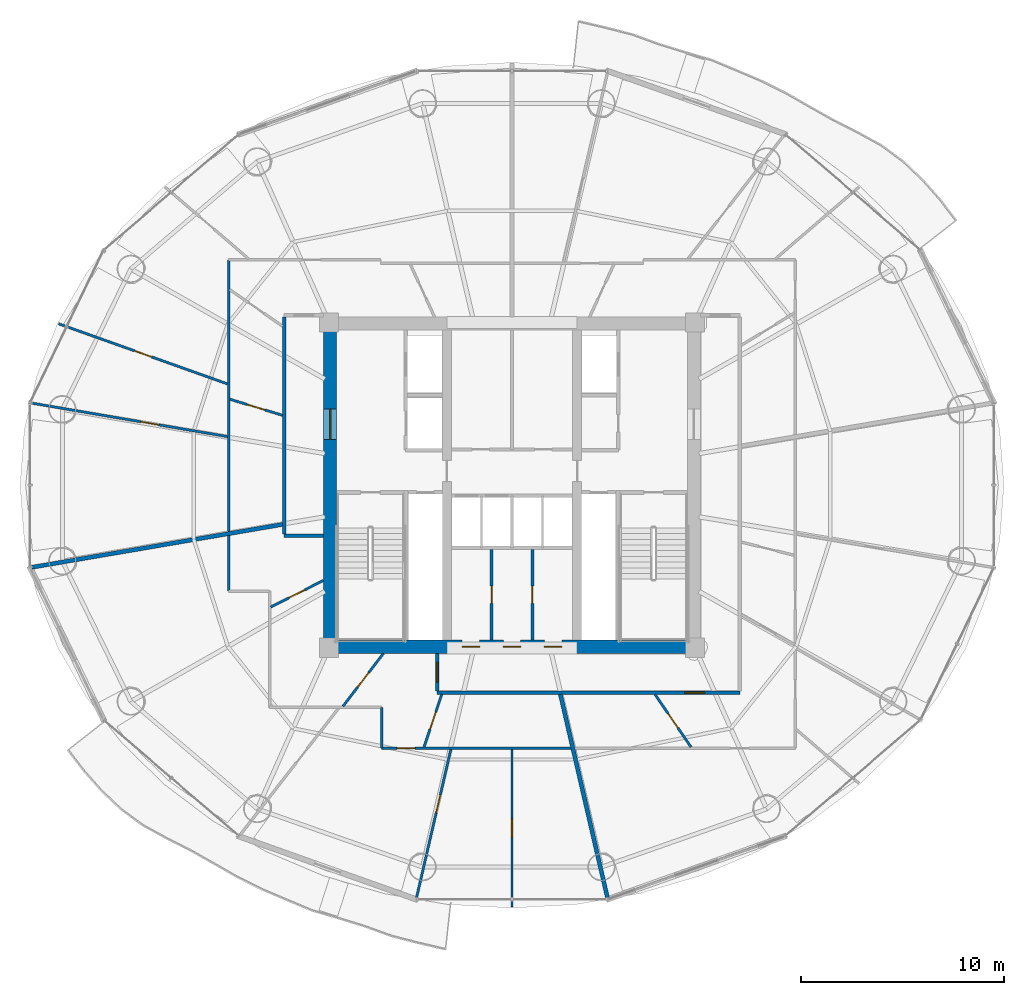
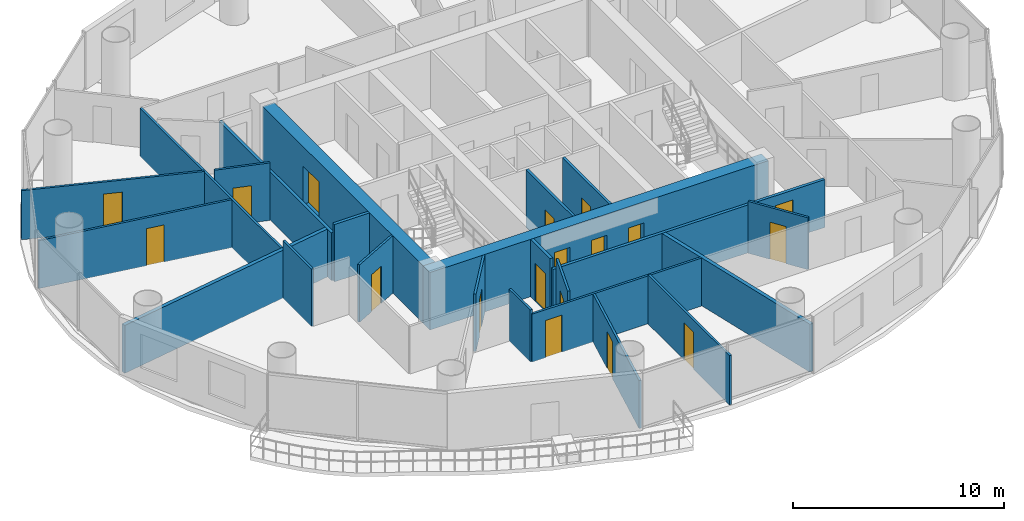
# One storey, part 20 of 26: 23 walls, 18 doors, 18 openings.
"""IFC4 building model written with IfcOpenShell, lengths in metres."""

from ifc_helpers import new_model, si_unit, direction, frame, frame_2d, origin, place, context, subcontext, project, spatial, rectangle, extrude, source, transform, mapped, material, layer, layer_set, type_object, element, fill, save


model = new_model("IFC4")

# Units and contexts
model_context = context("Model", 3, precision=1e-05, world=origin(), true_north=direction((-0.2419218956, 0.970295726276)))
body_context = subcontext(model_context, "Body", "Model", "MODEL_VIEW")
ifc_project = project(units=[si_unit("LENGTHUNIT", "METRE"), si_unit("AREAUNIT", "SQUARE_METRE"), si_unit("VOLUMEUNIT", "CUBIC_METRE"), si_unit("PLANEANGLEUNIT", "RADIAN"), si_unit("MASSUNIT", "GRAM", prefix="KILO")], contexts=[model_context])

# Site, building, storey
site_placement = place(None, origin())
site = spatial("IfcSite", under=ifc_project, at=site_placement, CompositionType="ELEMENT")
building_placement = place(site_placement, origin())
building = spatial("IfcBuilding", under=site, at=building_placement, Name="Cobrevalo Terracotta Tower", CompositionType="ELEMENT")
storey_placement = place(building_placement, frame((0.0, 0.0, 139.0)))
storey = spatial("IfcBuildingStorey", under=building, at=storey_placement, Name="L36", CompositionType="ELEMENT", Elevation=139.0)

# Wall, openings, doors
ifc_material_1 = material(Name="Concrete C55", Category="concrete")
ifc_layer_1 = layer(ifc_material_1, 0.64990234375)
ifc_layer_set_1 = layer_set([ifc_layer_1], Name="Concrete C55")
wall_type_1 = type_object("IfcWallType", Name="Core shear wall 650 mm Concrete C55", PredefinedType="SHEAR", material=ifc_layer_set_1)
wall_1_placement = place(storey_placement, frame((28.72509765625, 18.85009765625, 0.0), z_axis=(0.0, 0.0, 1.0), x_axis=(1.0, 0.0, 0.0)))
wall_1 = element("IfcWall", 1, at=wall_1_placement, inside=storey, type_object=wall_type_1, Name="L36 south core shear wall", PredefinedType="SHEAR", context=body_context, shape_type="SweptSolid", body=[
    extrude(rectangle(XDim=18.5498046875, YDim=0.64990234375, at=frame_2d((9.27490234375, 0.0))), origin(), (0.0, 0.0, 1.0), 3.330078125),
])
opening_1_placement = place(wall_1_placement, frame((6.827392578125, 0.0, 0.0)))
opening_1 = element("IfcOpeningElement", 2, at=opening_1_placement, cuts=wall_1, Name="Opening ID-22", PredefinedType="OPENING", context=body_context, shape_type="SweptSolid", body=[
    extrude(rectangle(XDim=0.85009765625, YDim=2.10009765625, at=frame_2d((0.425048828125, 1.050048828125))), frame((0.0, 0.3349609375, 0.0), z_axis=(0.0, -1.0, 0.0), x_axis=(1.0, 0.0, 0.0)), (0.0, 0.0, 1.0), 0.669921875),
])
opening_2_placement = place(wall_1_placement, frame((8.85009765625, 0.0, 0.0)))
opening_2 = element("IfcOpeningElement", 3, at=opening_2_placement, cuts=wall_1, Name="Opening ID-22", PredefinedType="OPENING", context=body_context, shape_type="SweptSolid", body=[
    extrude(rectangle(XDim=0.85009765625, YDim=2.10009765625, at=frame_2d((0.425048828125, 1.050048828125))), frame((0.0, 0.3349609375, 0.0), z_axis=(0.0, -1.0, 0.0), x_axis=(1.0, 0.0, 0.0)), (0.0, 0.0, 1.0), 0.669921875),
])
opening_3_placement = place(wall_1_placement, frame((10.87255859375, 0.0, 0.0)))
opening_3 = element("IfcOpeningElement", 4, at=opening_3_placement, cuts=wall_1, Name="Opening ID-22", PredefinedType="OPENING", context=body_context, shape_type="SweptSolid", body=[
    extrude(rectangle(XDim=0.85009765625, YDim=2.10009765625, at=frame_2d((0.425048828125, 1.050048828125))), frame((0.0, 0.3349609375, 0.0), z_axis=(0.0, -1.0, 0.0), x_axis=(1.0, 0.0, 0.0)), (0.0, 0.0, 1.0), 0.669921875),
])
ifc_material_2 = material(Name="Powder-coated steel", Category="steel")
door_type_1 = type_object("IfcDoorType", Name="Riser shaft & meter closet fire access door 850x2100 EI 60", OperationType="NOTDEFINED", PredefinedType="DOOR", material=ifc_material_2)
shared_shape_1 = source(origin(), body_context, "Body", "SweptSolid", [
    extrude(rectangle(XDim=0.85009765625, YDim=2.10009765625, at=frame_2d((0.425048828125, 1.050048828125))), frame((0.0, 0.02490234375, 0.0), z_axis=(0.0, -1.0, 0.0), x_axis=(1.0, 0.0, 0.0)), (0.0, 0.0, 1.0), 0.050048828125),
])
door_1_placement = place(opening_1_placement, origin())
door_1 = element("IfcDoor", 5, at=door_1_placement, inside=storey, type_object=door_type_1, Name="L36 core south plant door HVAC Supply Air Plant", OperationType="SINGLE_SWING_RIGHT", OverallHeight=2.10009765625, OverallWidth=0.85009765625, PredefinedType="DOOR", context=body_context, shape_type="MappedRepresentation", body=[
    mapped(shared_shape_1, transform((0.0, 0.0, 0.0), scale=1.0)),
])
fill(opening_1, door_1)
door_2_placement = place(opening_2_placement, origin())
door_2 = element("IfcDoor", 6, at=door_2_placement, inside=storey, type_object=door_type_1, Name="L36 core south plant door Refuse Chute Store Room", OperationType="SINGLE_SWING_RIGHT", OverallHeight=2.10009765625, OverallWidth=0.85009765625, PredefinedType="DOOR", context=body_context, shape_type="MappedRepresentation", body=[
    mapped(shared_shape_1, transform((0.0, 0.0, 0.0), scale=1.0)),
])
fill(opening_2, door_2)
door_3_placement = place(opening_3_placement, origin())
door_3 = element("IfcDoor", 7, at=door_3_placement, inside=storey, type_object=door_type_1, Name="L36 core south plant door Hydronic Pump Manifold Plant", OperationType="SINGLE_SWING_RIGHT", OverallHeight=2.10009765625, OverallWidth=0.85009765625, PredefinedType="DOOR", context=body_context, shape_type="MappedRepresentation", body=[
    mapped(shared_shape_1, transform((0.0, 0.0, 0.0), scale=1.0)),
])
fill(opening_3, door_3)

# Wall, opening, door
wall_2_placement = place(storey_placement, frame((29.050048828125, 19.175048828125, 0.0), z_axis=(0.0, 0.0, 1.0), x_axis=(0.0, 1.0, 0.0)))
wall_2 = element("IfcWall", 8, at=wall_2_placement, inside=storey, type_object=wall_type_1, Name="L36 west core shear wall", PredefinedType="SHEAR", context=body_context, shape_type="SweptSolid", body=[
    extrude(rectangle(XDim=15.25, YDim=0.64990234375, at=frame_2d((7.625, 0.0))), origin(), (0.0, 0.0, 1.0), 3.330078125),
])
opening_4_placement = place(wall_2_placement, frame((9.875, 0.0, 0.0)))
opening_4 = element("IfcOpeningElement", 9, at=opening_4_placement, cuts=wall_2, Name="Opening ID-14", PredefinedType="OPENING", context=body_context, shape_type="SweptSolid", body=[
    extrude(rectangle(XDim=1.5, YDim=2.199951171875, at=frame_2d((0.75, 1.10009765625))), frame((0.0, 0.3349609375, 0.0), z_axis=(0.0, -1.0, 0.0), x_axis=(1.0, 0.0, 0.0)), (0.0, 0.0, 1.0), 0.669921875),
])
ifc_material_3 = material(Name="Galvanized fire-rated steel", Category="steel")
door_type_2 = type_object("IfcDoorType", Name="Core cross-lobby double fire door 1500x2200 EI 90", OperationType="NOTDEFINED", PredefinedType="DOOR", material=ifc_material_3)
shared_shape_2 = source(origin(), body_context, "Body", "SweptSolid", [
    extrude(rectangle(XDim=1.5, YDim=2.199951171875, at=frame_2d((0.75, 1.10009765625))), frame((0.0, 0.02490234375, 0.0), z_axis=(0.0, -1.0, 0.0), x_axis=(1.0, 0.0, 0.0)), (0.0, 0.0, 1.0), 0.050048828125),
])
door_4_placement = place(opening_4_placement, origin())
door_4 = element("IfcDoor", 10, at=door_4_placement, inside=storey, type_object=door_type_2, Name="L36 west firefighting lobby entrance door", OperationType="DOUBLE_DOOR_SINGLE_SWING", OverallHeight=2.199951171875, OverallWidth=1.5, PredefinedType="DOOR", context=body_context, shape_type="MappedRepresentation", body=[
    mapped(shared_shape_2, transform((0.0, 0.0, 0.0), scale=1.0)),
])
fill(opening_4, door_4)

# Walls
ifc_material_4 = material(Name="Gypsum board on steel stud", Category="steel")
ifc_layer_2 = layer(ifc_material_4, 0.159912109375)
ifc_layer_set_2 = layer_set([ifc_layer_2], Name="Gypsum board on steel stud")
wall_type_2 = type_object("IfcWallType", Name="Fire-rated corridor acoustic partition wall 160 mm", PredefinedType="PARTITIONING", material=ifc_layer_set_2)
wall_3_placement = place(storey_placement, frame((26.794921875, 24.39990234375, 0.0), z_axis=(0.0, 0.0, 1.0), x_axis=(0.0, 1.0, 0.0)))
element("IfcWall", 11, at=wall_3_placement, inside=storey, type_object=wall_type_2, Name="L36 interior partition IW-L36-COR-W", PredefinedType="PARTITIONING", context=body_context, shape_type="SweptSolid", body=[
    extrude(rectangle(XDim=10.675048828125, YDim=0.159912109375, at=frame_2d((5.33740234375, 0.0))), origin(), (0.0, 0.0, 1.0), 2.77587890625),
])
wall_4_placement = place(storey_placement, frame((26.794921875, 24.320068359375, 0.0), z_axis=(0.0, 0.0, 1.0), x_axis=(1.0, 0.0, 0.0)))
element("IfcWall", 12, at=wall_4_placement, inside=storey, type_object=wall_type_2, Name="L36 interior partition IW-L36-COR-WS-CAP", PredefinedType="PARTITIONING", context=body_context, shape_type="SweptSolid", body=[
    extrude(rectangle(XDim=1.93017578125, YDim=0.159912109375, at=frame_2d((0.965087890625, 0.0))), origin(), (0.0, 0.0, 1.0), 3.330078125),
])

# Wall, opening, door
wall_5_placement = place(storey_placement, frame((34.320068359375, 16.594970703125, 0.0), z_axis=(0.0, 0.0, 1.0), x_axis=(1.0, 0.0, 0.0)))
wall_5 = element("IfcWall", 13, at=wall_5_placement, inside=storey, type_object=wall_type_2, Name="L36 interior partition IW-L36-COR-S", PredefinedType="PARTITIONING", context=body_context, shape_type="SweptSolid", body=[
    extrude(rectangle(XDim=14.885009765625, YDim=0.159912109375, at=frame_2d((7.4423828125, 0.0))), origin(), (0.0, 0.0, 1.0), 2.77587890625),
])
opening_5_placement = place(wall_5_placement, frame((12.17431640625, 0.0, 0.0)))
opening_5 = element("IfcOpeningElement", 14, at=opening_5_placement, cuts=wall_5, Name="Opening ID-05", PredefinedType="OPENING", context=body_context, shape_type="SweptSolid", body=[
    extrude(rectangle(XDim=0.97998046875, YDim=2.199951171875, at=frame_2d((0.489990234375, 1.10009765625))), frame((0.0, 0.08984375, 0.0), z_axis=(0.0, -1.0, 0.0), x_axis=(1.0, 0.0, 0.0)), (0.0, 0.0, 1.0), 0.179931640625),
])
ifc_material_5 = material(Name="Solid hardwood timber", Category="wood")
door_type_3 = type_object("IfcDoorType", Name="Residence entrance fire-rated acoustic timber door 980x2200 EI 60", OperationType="NOTDEFINED", PredefinedType="DOOR", material=ifc_material_5)
shared_shape_3 = source(origin(), body_context, "Body", "SweptSolid", [
    extrude(rectangle(XDim=0.97998046875, YDim=2.199951171875, at=frame_2d((0.489990234375, 1.10009765625))), frame((0.0, 0.02490234375, 0.0), z_axis=(0.0, -1.0, 0.0), x_axis=(1.0, 0.0, 0.0)), (0.0, 0.0, 1.0), 0.050048828125),
])
door_5_placement = place(opening_5_placement, origin())
door_5 = element("IfcDoor", 15, at=door_5_placement, inside=storey, type_object=door_type_3, Name="Flat L36D fire-rated apartment entrance door", OperationType="SINGLE_SWING_LEFT", OverallHeight=2.199951171875, OverallWidth=0.97998046875, PredefinedType="DOOR", context=body_context, shape_type="MappedRepresentation", body=[
    mapped(shared_shape_3, transform((0.0, 0.0, 0.0), scale=1.0)),
])
fill(opening_5, door_5)

wall_6_placement = place(storey_placement, frame((34.320068359375, 16.675048828125, 0.0), z_axis=(0.0, 0.0, 1.0), x_axis=(0.0, 1.0, 0.0)))
wall_6 = element("IfcWall", 16, at=wall_6_placement, inside=storey, type_object=wall_type_2, Name="L36 interior partition IW-L36-COR-SW-CAP", PredefinedType="PARTITIONING", context=body_context, shape_type="SweptSolid", body=[
    extrude(rectangle(XDim=1.849853515625, YDim=0.159912109375, at=frame_2d((0.9248046875, 0.0))), origin(), (0.0, 0.0, 1.0), 3.330078125),
])
opening_6_placement = place(wall_6_placement, frame((0.43505859375, 0.0, 0.0)))
opening_6 = element("IfcOpeningElement", 17, at=opening_6_placement, cuts=wall_6, Name="Opening ID-05", PredefinedType="OPENING", context=body_context, shape_type="SweptSolid", body=[
    extrude(rectangle(XDim=0.97998046875, YDim=2.199951171875, at=frame_2d((0.489990234375, 1.10009765625))), frame((0.0, 0.08984375, 0.0), z_axis=(0.0, -1.0, 0.0), x_axis=(1.0, 0.0, 0.0)), (0.0, 0.0, 1.0), 0.179931640625),
])
door_6_placement = place(opening_6_placement, origin())
door_6 = element("IfcDoor", 18, at=door_6_placement, inside=storey, type_object=door_type_3, Name="Flat L36C fire-rated apartment entrance door", OperationType="SINGLE_SWING_LEFT", OverallHeight=2.199951171875, OverallWidth=0.97998046875, PredefinedType="DOOR", context=body_context, shape_type="MappedRepresentation", body=[
    mapped(shared_shape_3, transform((0.0, 0.0, 0.0), scale=1.0)),
])
fill(opening_6, door_6)

# Walls
ifc_material_6 = material(Name="Autoclaved aerated concrete block", Category="concrete")
ifc_layer_3 = layer(ifc_material_6, 0.199951171875)
ifc_layer_set_3 = layer_set([ifc_layer_3], Name="Autoclaved aerated concrete block")
wall_type_3 = type_object("IfcWallType", Name="Fire-rated stair, shaft & demising masonry wall 200 mm", PredefinedType="PARTITIONING", material=ifc_layer_set_3)
wall_7_placement = place(storey_placement, frame((26.715087890625, 24.87060546875, 0.0), z_axis=(0.0, 0.0, 1.0), x_axis=(-0.985700184834, -0.168508592117, 0.0)))
element("IfcWall", 19, at=wall_7_placement, inside=storey, type_object=wall_type_3, Name="L36 interior partition IW-L36-DEM-3", PredefinedType="PARTITIONING", context=body_context, shape_type="SweptSolid", body=[
    extrude(rectangle(XDim=12.519287109375, YDim=0.199951171875, at=frame_2d((6.259765625, 0.0))), origin(), (0.0, 0.0, 1.0), 2.77587890625),
])
wall_8_placement = place(storey_placement, frame((40.380126953125, 16.514892578125, 0.0), z_axis=(0.0, 0.0, 1.0), x_axis=(0.225473598067, -0.974249278457, 0.0)))
element("IfcWall", 20, at=wall_8_placement, inside=storey, type_object=wall_type_3, Name="L36 interior partition IW-L36-DEM-4", PredefinedType="PARTITIONING", context=body_context, shape_type="SweptSolid", body=[
    extrude(rectangle(XDim=10.27783203125, YDim=0.199951171875, at=frame_2d((5.138916015625, 0.0))), origin(), (0.0, 0.0, 1.0), 2.77587890625),
])

# Wall, opening, door
ifc_layer_4 = layer(ifc_material_6, 0.139892578125)
ifc_layer_set_4 = layer_set([ifc_layer_4], Name="Autoclaved aerated concrete block")
wall_type_4 = type_object("IfcWallType", Name="Moisture-resistant wet-room & core service partition 140 mm", PredefinedType="PARTITIONING", material=ifc_layer_set_4)
wall_9_placement = place(storey_placement, frame((37.0, 19.175048828125, 0.0), z_axis=(0.0, 0.0, 1.0), x_axis=(0.0, 1.0, 0.0)))
wall_9 = element("IfcWall", 21, at=wall_9_placement, inside=storey, type_object=wall_type_4, Name="L36 interior partition IW-L36-KVS-V1", PredefinedType="PARTITIONING", context=body_context, shape_type="SweptSolid", body=[
    extrude(rectangle(XDim=4.46484375, YDim=0.139892578125, at=frame_2d((2.232421875, 0.0))), origin(), (0.0, 0.0, 1.0), 3.330078125),
])
opening_7_placement = place(wall_9_placement, frame((1.8076171875, 0.0, 0.0)))
opening_7 = element("IfcOpeningElement", 22, at=opening_7_placement, cuts=wall_9, Name="Opening ID-22", PredefinedType="OPENING", context=body_context, shape_type="SweptSolid", body=[
    extrude(rectangle(XDim=0.85009765625, YDim=2.10009765625, at=frame_2d((0.425048828125, 1.050048828125))), frame((0.0, 0.080078125, 0.0), z_axis=(0.0, -1.0, 0.0), x_axis=(1.0, 0.0, 0.0)), (0.0, 0.0, 1.0), 0.159912109375),
])
door_7_placement = place(opening_7_placement, origin())
door_7 = element("IfcDoor", 23, at=door_7_placement, inside=storey, type_object=door_type_1, Name="L36 core KVS-V1 inner door", OperationType="SINGLE_SWING_LEFT", OverallHeight=2.10009765625, OverallWidth=0.85009765625, PredefinedType="DOOR", context=body_context, shape_type="MappedRepresentation", body=[
    mapped(shared_shape_1, transform((0.0, 0.0, 0.0), scale=1.0)),
])
fill(opening_7, door_7)

wall_10_placement = place(storey_placement, frame((39.0, 19.175048828125, 0.0), z_axis=(0.0, 0.0, 1.0), x_axis=(0.0, 1.0, 0.0)))
wall_10 = element("IfcWall", 24, at=wall_10_placement, inside=storey, type_object=wall_type_4, Name="L36 interior partition IW-L36-KVS-V2", PredefinedType="PARTITIONING", context=body_context, shape_type="SweptSolid", body=[
    extrude(rectangle(XDim=4.46484375, YDim=0.139892578125, at=frame_2d((2.232421875, 0.0))), origin(), (0.0, 0.0, 1.0), 3.330078125),
])
opening_8_placement = place(wall_10_placement, frame((1.8076171875, 0.0, 0.0)))
opening_8 = element("IfcOpeningElement", 25, at=opening_8_placement, cuts=wall_10, Name="Opening ID-22", PredefinedType="OPENING", context=body_context, shape_type="SweptSolid", body=[
    extrude(rectangle(XDim=0.85009765625, YDim=2.10009765625, at=frame_2d((0.425048828125, 1.050048828125))), frame((0.0, 0.080078125, 0.0), z_axis=(0.0, -1.0, 0.0), x_axis=(1.0, 0.0, 0.0)), (0.0, 0.0, 1.0), 0.159912109375),
])
door_8_placement = place(opening_8_placement, origin())
door_8 = element("IfcDoor", 26, at=door_8_placement, inside=storey, type_object=door_type_1, Name="L36 core KVS-V2 inner door", OperationType="SINGLE_SWING_LEFT", OverallHeight=2.10009765625, OverallWidth=0.85009765625, PredefinedType="DOOR", context=body_context, shape_type="MappedRepresentation", body=[
    mapped(shared_shape_1, transform((0.0, 0.0, 0.0), scale=1.0)),
])
fill(opening_8, door_8)

# Wall
ifc_layer_5 = layer(ifc_material_4, 0.1201171875)
ifc_layer_set_5 = layer_set([ifc_layer_5], Name="Gypsum board on steel stud")
wall_type_5 = type_object("IfcWallType", Name="Residential internal acoustic stud partition 120 mm", PredefinedType="PARTITIONING", material=ifc_layer_set_5)
wall_11_placement = place(storey_placement, frame((24.06494140625, 24.51953125, 0.0), z_axis=(0.0, 0.0, 1.0), x_axis=(0.0, 1.0, 0.0)))
element("IfcWall", 27, at=wall_11_placement, inside=storey, type_object=wall_type_5, Name="L36 interior partition IW-L36-U2-RING0_0", PredefinedType="PARTITIONING", context=body_context, shape_type="SweptSolid", body=[
    extrude(rectangle(XDim=13.365478515625, YDim=0.1201171875, at=frame_2d((6.6826171875, 0.0))), origin(), (0.0, 0.0, 1.0), 2.77587890625),
])

# Wall, opening, door
wall_12_placement = place(storey_placement, frame((24.006591796875, 31.781982421875, 0.0), z_axis=(0.0, 0.0, 1.0), x_axis=(-0.942077868165, 0.335394231187, 0.0)))
wall_12 = element("IfcWall", 28, at=wall_12_placement, inside=storey, type_object=wall_type_5, Name="L36 interior partition IW-L36-U2-ORAD2", PredefinedType="PARTITIONING", context=body_context, shape_type="SweptSolid", body=[
    extrude(rectangle(XDim=8.816650390625, YDim=0.1201171875, at=frame_2d((4.408203125, 0.0))), origin(), (0.0, 0.0, 1.0), 2.845947265625),
])
opening_9_placement = place(wall_12_placement, frame((3.95849609375, 0.0, 0.0)))
opening_9 = element("IfcOpeningElement", 29, at=opening_9_placement, cuts=wall_12, Name="Opening ID-12", PredefinedType="OPENING", context=body_context, shape_type="SweptSolid", body=[
    extrude(rectangle(XDim=0.89990234375, YDim=2.14990234375, at=frame_2d((0.449951171875, 1.074951171875))), frame((0.0, 0.070068359375, 0.0), z_axis=(0.0, -1.0, 0.0), x_axis=(1.0, 0.0, 0.0)), (0.0, 0.0, 1.0), 0.14013671875),
])
ifc_material_7 = material(Name="Engineered timber", Category="wood")
door_type_4 = type_object("IfcDoorType", Name="Internal residence & suite timber door 900x2150", OperationType="NOTDEFINED", PredefinedType="DOOR", material=ifc_material_7)
shared_shape_4 = source(origin(), body_context, "Body", "SweptSolid", [
    extrude(rectangle(XDim=0.89990234375, YDim=2.14990234375, at=frame_2d((0.449951171875, 1.074951171875))), frame((0.0, 0.02490234375, 0.0), z_axis=(0.0, -1.0, 0.0), x_axis=(1.0, 0.0, 0.0)), (0.0, 0.0, 1.0), 0.050048828125),
])
door_9_placement = place(opening_9_placement, origin())
door_9 = element("IfcDoor", 30, at=door_9_placement, inside=storey, type_object=door_type_4, Name="Flat L36B Principal Guest Bedroom internal door", OperationType="SINGLE_SWING_LEFT", OverallHeight=2.14990234375, OverallWidth=0.89990234375, PredefinedType="DOOR", context=body_context, shape_type="MappedRepresentation", body=[
    mapped(shared_shape_4, transform((0.0, 0.0, 0.0), scale=1.0)),
])
fill(opening_9, door_9)

wall_13_placement = place(storey_placement, frame((24.00390625, 29.19287109375, 0.0), z_axis=(0.0, 0.0, 1.0), x_axis=(-0.985698378271, 0.168519159369, 0.0)))
wall_13 = element("IfcWall", 31, at=wall_13_placement, inside=storey, type_object=wall_type_5, Name="L36 interior partition IW-L36-U2-ORAD3M1", PredefinedType="PARTITIONING", context=body_context, shape_type="SweptSolid", body=[
    extrude(rectangle(XDim=9.768798828125, YDim=0.1201171875, at=frame_2d((4.88427734375, 0.0))), origin(), (0.0, 0.0, 1.0), 2.77587890625),
])
opening_10_placement = place(wall_13_placement, frame((3.427734375, 0.0, 0.0)))
opening_10 = element("IfcOpeningElement", 32, at=opening_10_placement, cuts=wall_13, Name="Opening ID-12", PredefinedType="OPENING", context=body_context, shape_type="SweptSolid", body=[
    extrude(rectangle(XDim=0.89990234375, YDim=2.14990234375, at=frame_2d((0.449951171875, 1.074951171875))), frame((0.0, 0.070068359375, 0.0), z_axis=(0.0, -1.0, 0.0), x_axis=(1.0, 0.0, 0.0)), (0.0, 0.0, 1.0), 0.14013671875),
])
door_10_placement = place(opening_10_placement, origin())
door_10 = element("IfcDoor", 33, at=door_10_placement, inside=storey, type_object=door_type_4, Name="Flat L36B Penthouse Family Lounge internal door", OperationType="SINGLE_SWING_RIGHT", OverallHeight=2.14990234375, OverallWidth=0.89990234375, PredefinedType="DOOR", context=body_context, shape_type="MappedRepresentation", body=[
    mapped(shared_shape_4, transform((0.0, 0.0, 0.0), scale=1.0)),
])
fill(opening_10, door_10)

wall_14_placement = place(storey_placement, frame((26.715087890625, 30.239013671875, 0.0), z_axis=(0.0, 0.0, 1.0), x_axis=(-0.956566832952, 0.291513111361, 0.0)))
wall_14 = element("IfcWall", 34, at=wall_14_placement, inside=storey, type_object=wall_type_5, Name="L36 interior partition IW-L36-U2-IRAD3", PredefinedType="PARTITIONING", context=body_context, shape_type="SweptSolid", body=[
    extrude(rectangle(XDim=2.70849609375, YDim=0.1201171875, at=frame_2d((1.354248046875, 0.0))), origin(), (0.0, 0.0, 1.0), 3.330078125),
])
opening_11_placement = place(wall_14_placement, frame((0.904296875, 0.0, 0.0)))
opening_11 = element("IfcOpeningElement", 35, at=opening_11_placement, cuts=wall_14, Name="Opening ID-12", PredefinedType="OPENING", context=body_context, shape_type="SweptSolid", body=[
    extrude(rectangle(XDim=0.89990234375, YDim=2.14990234375, at=frame_2d((0.449951171875, 1.074951171875))), frame((0.0, 0.070068359375, 0.0), z_axis=(0.0, -1.0, 0.0), x_axis=(1.0, 0.0, 0.0)), (0.0, 0.0, 1.0), 0.14013671875),
])
door_11_placement = place(opening_11_placement, origin())
door_11 = element("IfcDoor", 36, at=door_11_placement, inside=storey, type_object=door_type_4, Name="Flat L36B Private Library Meeting Room internal door", OperationType="SINGLE_SWING_LEFT", OverallHeight=2.14990234375, OverallWidth=0.89990234375, PredefinedType="DOOR", context=body_context, shape_type="MappedRepresentation", body=[
    mapped(shared_shape_4, transform((0.0, 0.0, 0.0), scale=1.0)),
])
fill(opening_11, door_11)

wall_15_placement = place(storey_placement, frame((40.8916015625, 13.864990234375, 0.0), z_axis=(0.0, 0.0, 1.0), x_axis=(-1.0, 0.0, 0.0)))
wall_15 = element("IfcWall", 37, at=wall_15_placement, inside=storey, type_object=wall_type_5, Name="L36 interior partition IW-L36-U3-RING0_0", PredefinedType="PARTITIONING", context=body_context, shape_type="SweptSolid", body=[
    extrude(rectangle(XDim=9.301513671875, YDim=0.1201171875, at=frame_2d((4.65087890625, 0.0))), origin(), (0.0, 0.0, 1.0), 2.77587890625),
])
opening_12_placement = place(wall_15_placement, frame((7.652099609375, 0.0, 0.0)))
opening_12 = element("IfcOpeningElement", 38, at=opening_12_placement, cuts=wall_15, Name="Opening ID-12", PredefinedType="OPENING", context=body_context, shape_type="SweptSolid", body=[
    extrude(rectangle(XDim=0.89990234375, YDim=2.14990234375, at=frame_2d((0.449951171875, 1.074951171875))), frame((0.0, 0.070068359375, 0.0), z_axis=(0.0, -1.0, 0.0), x_axis=(1.0, 0.0, 0.0)), (0.0, 0.0, 1.0), 0.14013671875),
])
door_12_placement = place(opening_12_placement, origin())
door_12 = element("IfcDoor", 39, at=door_12_placement, inside=storey, type_object=door_type_4, Name="Flat L36C Master Bedroom internal door", OperationType="SINGLE_SWING_RIGHT", OverallHeight=2.14990234375, OverallWidth=0.89990234375, PredefinedType="DOOR", context=body_context, shape_type="MappedRepresentation", body=[
    mapped(shared_shape_4, transform((0.0, 0.0, 0.0), scale=1.0)),
])
fill(opening_12, door_12)

# Walls
wall_16_placement = place(storey_placement, frame((31.590087890625, 13.864990234375, 0.0), z_axis=(0.0, 0.0, 1.0), x_axis=(0.0, 1.0, 0.0)))
element("IfcWall", 40, at=wall_16_placement, inside=storey, type_object=wall_type_5, Name="L36 interior partition IW-L36-U3-RING1_0", PredefinedType="PARTITIONING", context=body_context, shape_type="SweptSolid", body=[
    extrude(rectangle(XDim=2.010009765625, YDim=0.1201171875, at=frame_2d((1.0048828125, 0.0))), origin(), (0.0, 0.0, 1.0), 3.0048828125),
])
wall_17_placement = place(storey_placement, frame((24.06494140625, 21.590087890625, 0.0), z_axis=(0.0, 0.0, 1.0), x_axis=(0.0, 1.0, 0.0)))
element("IfcWall", 41, at=wall_17_placement, inside=storey, type_object=wall_type_5, Name="L36 interior partition IW-L36-U3-RING5_0", PredefinedType="PARTITIONING", context=body_context, shape_type="SweptSolid", body=[
    extrude(rectangle(XDim=2.7255859375, YDim=0.1201171875, at=frame_2d((1.36279296875, 0.0))), origin(), (0.0, 0.0, 1.0), 3.330078125),
])

# Wall, opening, door
wall_18_placement = place(storey_placement, frame((34.992431640625, 13.8046875, 0.0), z_axis=(0.0, 0.0, 1.0), x_axis=(-0.225447000045, -0.974255433739, 0.0)))
wall_18 = element("IfcWall", 42, at=wall_18_placement, inside=storey, type_object=wall_type_5, Name="L36 interior partition IW-L36-U3-ORAD2M1", PredefinedType="PARTITIONING", context=body_context, shape_type="SweptSolid", body=[
    extrude(rectangle(XDim=7.495849609375, YDim=0.1201171875, at=frame_2d((3.748046875, 0.0))), origin(), (0.0, 0.0, 1.0), 2.77587890625),
])
opening_13_placement = place(wall_18_placement, frame((2.288818359375, 0.0, 0.0)))
opening_13 = element("IfcOpeningElement", 43, at=opening_13_placement, cuts=wall_18, Name="Opening ID-12", PredefinedType="OPENING", context=body_context, shape_type="SweptSolid", body=[
    extrude(rectangle(XDim=0.89990234375, YDim=2.14990234375, at=frame_2d((0.449951171875, 1.074951171875))), frame((0.0, 0.070068359375, 0.0), z_axis=(0.0, -1.0, 0.0), x_axis=(1.0, 0.0, 0.0)), (0.0, 0.0, 1.0), 0.14013671875),
])
door_13_placement = place(opening_13_placement, origin())
door_13 = element("IfcDoor", 44, at=door_13_placement, inside=storey, type_object=door_type_4, Name="Flat L36C Penthouse Family Lounge internal door", OperationType="SINGLE_SWING_LEFT", OverallHeight=2.14990234375, OverallWidth=0.89990234375, PredefinedType="DOOR", context=body_context, shape_type="MappedRepresentation", body=[
    mapped(shared_shape_4, transform((0.0, 0.0, 0.0), scale=1.0)),
])
fill(opening_13, door_13)

wall_19_placement = place(storey_placement, frame((38.0, 13.802978515625, 0.0), z_axis=(0.0, 0.0, 1.0), x_axis=(0.0, -1.0, 0.0)))
wall_19 = element("IfcWall", 45, at=wall_19_placement, inside=storey, type_object=wall_type_5, Name="L36 interior partition IW-L36-U3-ORAD2M2", PredefinedType="PARTITIONING", context=body_context, shape_type="SweptSolid", body=[
    extrude(rectangle(XDim=7.742919921875, YDim=0.1201171875, at=frame_2d((3.87158203125, 0.0))), origin(), (0.0, 0.0, 1.0), 2.845947265625),
])
opening_14_placement = place(wall_19_placement, frame((3.42138671875, 0.0, 0.0)))
opening_14 = element("IfcOpeningElement", 46, at=opening_14_placement, cuts=wall_19, Name="Opening ID-12", PredefinedType="OPENING", context=body_context, shape_type="SweptSolid", body=[
    extrude(rectangle(XDim=0.89990234375, YDim=2.14990234375, at=frame_2d((0.449951171875, 1.074951171875))), frame((0.0, 0.070068359375, 0.0), z_axis=(0.0, -1.0, 0.0), x_axis=(1.0, 0.0, 0.0)), (0.0, 0.0, 1.0), 0.14013671875),
])
door_14_placement = place(opening_14_placement, origin())
door_14 = element("IfcDoor", 47, at=door_14_placement, inside=storey, type_object=door_type_4, Name="Flat L36C Penthouse Family Lounge internal door", OperationType="SINGLE_SWING_RIGHT", OverallHeight=2.14990234375, OverallWidth=0.89990234375, PredefinedType="DOOR", context=body_context, shape_type="MappedRepresentation", body=[
    mapped(shared_shape_4, transform((0.0, 0.0, 0.0), scale=1.0)),
])
fill(opening_14, door_14)

wall_20_placement = place(storey_placement, frame((28.72314453125, 22.1142578125, 0.0), z_axis=(0.0, 0.0, 1.0), x_axis=(-0.892604354588, -0.450840843504, 0.0)))
wall_20 = element("IfcWall", 48, at=wall_20_placement, inside=storey, type_object=wall_type_5, Name="L36 interior partition IW-L36-U3-IRAD1", PredefinedType="PARTITIONING", context=body_context, shape_type="SweptSolid", body=[
    extrude(rectangle(XDim=2.90478515625, YDim=0.1201171875, at=frame_2d((1.452392578125, 0.0))), origin(), (0.0, 0.0, 1.0), 3.330078125),
])
opening_15_placement = place(wall_20_placement, frame((1.0224609375, 0.0, 0.0)))
opening_15 = element("IfcOpeningElement", 49, at=opening_15_placement, cuts=wall_20, Name="Opening ID-19", PredefinedType="OPENING", context=body_context, shape_type="SweptSolid", body=[
    extrude(rectangle(XDim=0.860107421875, YDim=2.14990234375, at=frame_2d((0.43017578125, 1.074951171875))), frame((0.0, 0.070068359375, 0.0), z_axis=(0.0, -1.0, 0.0), x_axis=(1.0, 0.0, 0.0)), (0.0, 0.0, 1.0), 0.14013671875),
])
ifc_material_8 = material(Name="Moisture-sealed timber", Category="wood")
door_type_5 = type_object("IfcDoorType", Name="Suite bathroom internal timber door 860x2150", OperationType="NOTDEFINED", PredefinedType="DOOR", material=ifc_material_8)
shared_shape_5 = source(origin(), body_context, "Body", "SweptSolid", [
    extrude(rectangle(XDim=0.860107421875, YDim=2.14990234375, at=frame_2d((0.43017578125, 1.074951171875))), frame((0.0, 0.02490234375, 0.0), z_axis=(0.0, -1.0, 0.0), x_axis=(1.0, 0.0, 0.0)), (0.0, 0.0, 1.0), 0.050048828125),
])
door_15_placement = place(opening_15_placement, frame((0.860107421875, 0.0, 0.0), z_axis=(0.0, 0.0, 1.0), x_axis=(-1.0, 0.0, 0.0)))
door_15 = element("IfcDoor", 50, at=door_15_placement, inside=storey, type_object=door_type_5, Name="Flat L36C Primary Bathroom internal door", OperationType="SINGLE_SWING_LEFT", OverallHeight=2.14990234375, OverallWidth=0.860107421875, PredefinedType="DOOR", context=body_context, shape_type="MappedRepresentation", body=[
    mapped(shared_shape_5, transform((0.0, 0.0, 0.0), scale=1.0)),
])
fill(opening_15, door_15)

wall_21_placement = place(storey_placement, frame((31.673583984375, 18.52490234375, 0.0), z_axis=(0.0, 0.0, 1.0), x_axis=(-0.607372594471, -0.794417101708, 0.0)))
wall_21 = element("IfcWall", 51, at=wall_21_placement, inside=storey, type_object=wall_type_5, Name="L36 interior partition IW-L36-U3-IRAD2", PredefinedType="PARTITIONING", context=body_context, shape_type="SweptSolid", body=[
    extrude(rectangle(XDim=3.273681640625, YDim=0.1201171875, at=frame_2d((1.63671875, 0.0))), origin(), (0.0, 0.0, 1.0), 3.330078125),
])
opening_16_placement = place(wall_21_placement, frame((1.18701171875, 0.0, 0.0)))
opening_16 = element("IfcOpeningElement", 52, at=opening_16_placement, cuts=wall_21, Name="Opening ID-12", PredefinedType="OPENING", context=body_context, shape_type="SweptSolid", body=[
    extrude(rectangle(XDim=0.89990234375, YDim=2.14990234375, at=frame_2d((0.449951171875, 1.074951171875))), frame((0.0, 0.070068359375, 0.0), z_axis=(0.0, -1.0, 0.0), x_axis=(1.0, 0.0, 0.0)), (0.0, 0.0, 1.0), 0.14013671875),
])
door_16_placement = place(opening_16_placement, frame((0.89990234375, 0.0, 0.0), z_axis=(0.0, 0.0, 1.0), x_axis=(-1.0, 0.0, 0.0)))
door_16 = element("IfcDoor", 53, at=door_16_placement, inside=storey, type_object=door_type_4, Name="Flat L36C Reception Hallway internal door", OperationType="SINGLE_SWING_RIGHT", OverallHeight=2.14990234375, OverallWidth=0.89990234375, PredefinedType="DOOR", context=body_context, shape_type="MappedRepresentation", body=[
    mapped(shared_shape_4, transform((0.0, 0.0, 0.0), scale=1.0)),
])
fill(opening_16, door_16)

wall_22_placement = place(storey_placement, frame((34.54541015625, 16.514892578125, 0.0), z_axis=(0.0, 0.0, 1.0), x_axis=(-0.318424178642, -0.947948333221, 0.0)))
wall_22 = element("IfcWall", 54, at=wall_22_placement, inside=storey, type_object=wall_type_5, Name="L36 interior partition IW-L36-U3-IRAD3", PredefinedType="PARTITIONING", context=body_context, shape_type="SweptSolid", body=[
    extrude(rectangle(XDim=2.7333984375, YDim=0.1201171875, at=frame_2d((1.36669921875, 0.0))), origin(), (0.0, 0.0, 1.0), 3.330078125),
])
opening_17_placement = place(wall_22_placement, frame((0.916748046875, 0.0, 0.0)))
opening_17 = element("IfcOpeningElement", 55, at=opening_17_placement, cuts=wall_22, Name="Opening ID-12", PredefinedType="OPENING", context=body_context, shape_type="SweptSolid", body=[
    extrude(rectangle(XDim=0.89990234375, YDim=2.14990234375, at=frame_2d((0.449951171875, 1.074951171875))), frame((0.0, 0.070068359375, 0.0), z_axis=(0.0, -1.0, 0.0), x_axis=(1.0, 0.0, 0.0)), (0.0, 0.0, 1.0), 0.14013671875),
])
door_17_placement = place(opening_17_placement, origin())
door_17 = element("IfcDoor", 56, at=door_17_placement, inside=storey, type_object=door_type_4, Name="Flat L36C Private Library Meeting Room internal door", OperationType="SINGLE_SWING_LEFT", OverallHeight=2.14990234375, OverallWidth=0.89990234375, PredefinedType="DOOR", context=body_context, shape_type="MappedRepresentation", body=[
    mapped(shared_shape_4, transform((0.0, 0.0, 0.0), scale=1.0)),
])
fill(opening_17, door_17)

wall_23_placement = place(storey_placement, frame((45.031982421875, 16.514892578125, 0.0), z_axis=(0.0, 0.0, 1.0), x_axis=(0.564486512722, -0.825442291717, 0.0)))
wall_23 = element("IfcWall", 57, at=wall_23_placement, inside=storey, type_object=wall_type_5, Name="L36 interior partition IW-L36-U4-IRAD1", PredefinedType="PARTITIONING", context=body_context, shape_type="SweptSolid", body=[
    extrude(rectangle(XDim=3.148193359375, YDim=0.1201171875, at=frame_2d((1.57421875, 0.0))), origin(), (0.0, 0.0, 1.0), 3.0048828125),
])
opening_18_placement = place(wall_23_placement, frame((1.14404296875, 0.0, 0.0)))
opening_18 = element("IfcOpeningElement", 58, at=opening_18_placement, cuts=wall_23, Name="Opening ID-19", PredefinedType="OPENING", context=body_context, shape_type="SweptSolid", body=[
    extrude(rectangle(XDim=0.860107421875, YDim=2.14990234375, at=frame_2d((0.43017578125, 1.074951171875))), frame((0.0, 0.070068359375, 0.0), z_axis=(0.0, -1.0, 0.0), x_axis=(1.0, 0.0, 0.0)), (0.0, 0.0, 1.0), 0.14013671875),
])
door_18_placement = place(opening_18_placement, frame((0.860107421875, 0.0, 0.0), z_axis=(0.0, 0.0, 1.0), x_axis=(-1.0, 0.0, 0.0)))
door_18 = element("IfcDoor", 59, at=door_18_placement, inside=storey, type_object=door_type_5, Name="Flat L36D Primary Bathroom internal door", OperationType="SINGLE_SWING_RIGHT", OverallHeight=2.14990234375, OverallWidth=0.860107421875, PredefinedType="DOOR", context=body_context, shape_type="MappedRepresentation", body=[
    mapped(shared_shape_5, transform((0.0, 0.0, 0.0), scale=1.0)),
])
fill(opening_18, door_18)

save(model, "model.ifc")
